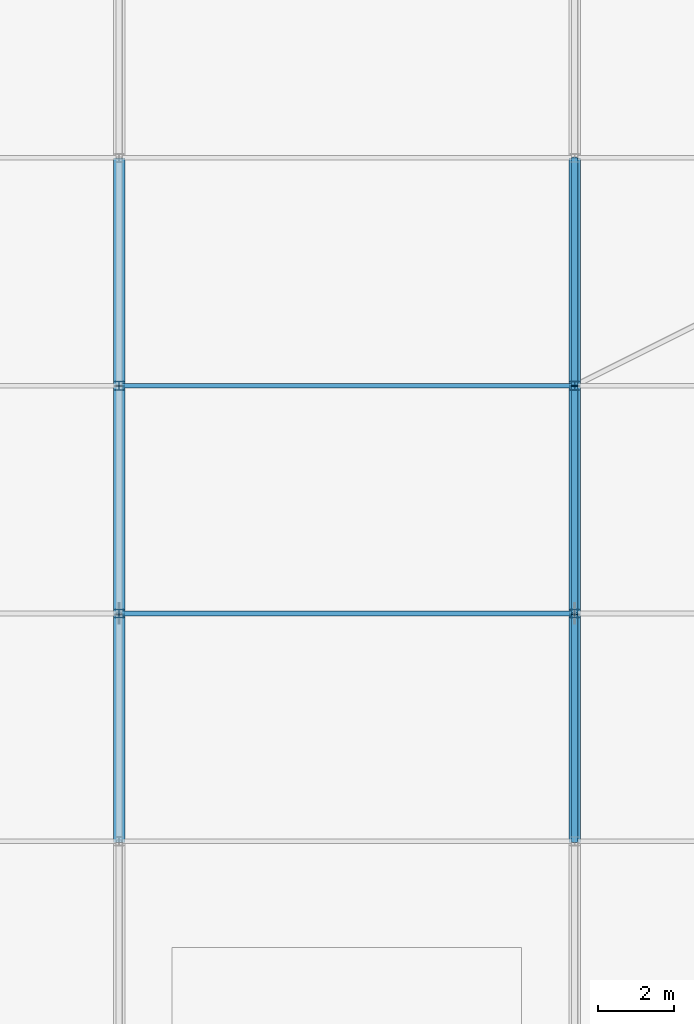
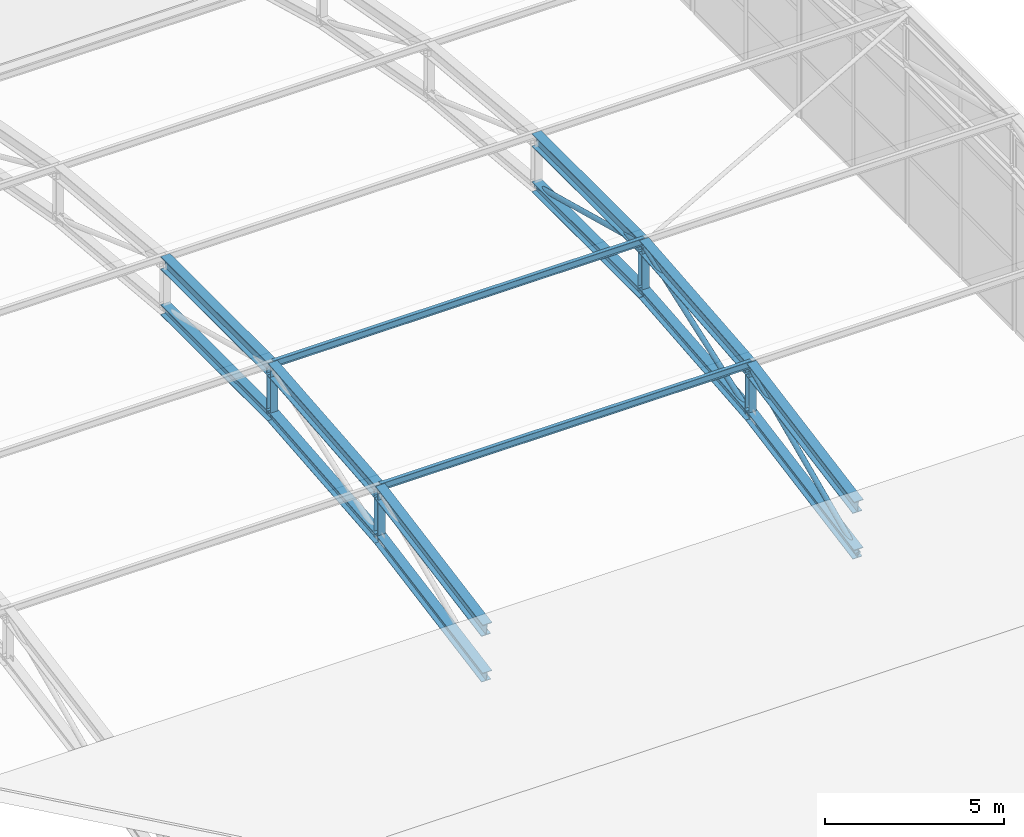
# One storey, part 108 of 204: 21 members.
"""IFC4 building model written with IfcOpenShell, lengths in metres."""

from ifc_helpers import new_model, si_unit, direction, frame, origin, origin_2d, place, context, subcontext, project, spatial, hollow_circle, i_section, extrude, material, material_profile, profile_set, type_object, element, save


model = new_model("IFC4")

# Units and contexts
model_context = context("Model", 3, precision=1e-05, world=origin(), true_north=direction((0.0, 1.0)))
body_context = subcontext(model_context, "Body", "Model", "MODEL_VIEW")
ifc_project = project(units=[si_unit("LENGTHUNIT", "METRE"), si_unit("AREAUNIT", "SQUARE_METRE"), si_unit("VOLUMEUNIT", "CUBIC_METRE"), si_unit("PLANEANGLEUNIT", "RADIAN"), si_unit("MASSUNIT", "GRAM", prefix="KILO")], contexts=[model_context])

# Site, building, storey
site_placement = place(None, origin())
site = spatial("IfcSite", under=ifc_project, at=site_placement, CompositionType="ELEMENT")
building_placement = place(site_placement, origin())
building = spatial("IfcBuilding", under=site, at=building_placement, Name="Zilviju Railside Exhibition Hall", CompositionType="ELEMENT")
storey_placement = place(building_placement, frame((0.0, 0.0, 21.0)))
storey = spatial("IfcBuildingStorey", under=building, at=storey_placement, Name="RF", CompositionType="ELEMENT", Elevation=21.0)

# Members
ifc_material = material(Name="Steel S355J2", Category="steel")
ifc_material_profile_1 = material_profile(ifc_material, hollow_circle(Radius=0.084228515625, WallThickness=0.008056640625, at=origin_2d()), Name="CHS 168.3x8.0")
ifc_profile_set_1 = profile_set([ifc_material_profile_1], Name="Steel S355J2")
member_type_1 = type_object("IfcMemberType", Name="TR-BR-CHS168", PredefinedType="BRACE", material=ifc_profile_set_1)
member_1_placement = place(storey_placement, frame((204.0, 12.0, -3.928466796875), z_axis=(0.0, 0.911563042822, 0.411160332425), x_axis=(-1.0, 0.0, 0.0)))
element("IfcMember", 1, at=member_1_placement, inside=storey, type_object=member_type_1, Name="V1 Parabolic Arch Web Diagonal X=204.0 P3", PredefinedType="BRACE", context=body_context, shape_type="SweptSolid", body=[
    extrude(hollow_circle(Radius=0.084228515625, WallThickness=0.008056640625, at=origin_2d()), origin(), (0.0, 0.0, 1.0), 6.58203125),
])
member_2_placement = place(storey_placement, frame((204.0, 18.0, -2.822265625), z_axis=(0.0, 0.94123307508, 0.337757751023), x_axis=(-1.0, 0.0, 0.0)))
element("IfcMember", 2, at=member_2_placement, inside=storey, type_object=member_type_1, Name="V1 Parabolic Arch Web Diagonal X=204.0 P4", PredefinedType="BRACE", context=body_context, shape_type="SweptSolid", body=[
    extrude(hollow_circle(Radius=0.084228515625, WallThickness=0.008056640625, at=origin_2d()), origin(), (0.0, 0.0, 1.0), 6.37451171875),
])
member_3_placement = place(storey_placement, frame((204.0, 24.0, -0.669189453125), z_axis=(0.0, 0.966240812345, -0.257640626762), x_axis=(-1.0, 0.0, 0.0)))
element("IfcMember", 3, at=member_3_placement, inside=storey, type_object=member_type_1, Name="V1 Parabolic Arch Web Diagonal X=204.0 P5", PredefinedType="BRACE", context=body_context, shape_type="SweptSolid", body=[
    extrude(hollow_circle(Radius=0.084228515625, WallThickness=0.008056640625, at=origin_2d()), origin(), (0.0, 0.0, 1.0), 6.209716796875),
])
ifc_material_profile_2 = material_profile(ifc_material, i_section(OverallWidth=0.300048828125, OverallDepth=0.360107421875, WebThickness=0.012451171875, FlangeThickness=0.0224609375, at=origin_2d()), Name="HEB 360")
ifc_profile_set_2 = profile_set([ifc_material_profile_2], Name="Steel S355J2")
member_type_2 = type_object("IfcMemberType", Name="TR-CH-HEB360", PredefinedType="CHORD", material=ifc_profile_set_2)
member_4_placement = place(storey_placement, frame((192.0, 12.0, -3.928466796875), z_axis=(0.0, 0.98342578549, 0.18131112606), x_axis=(-1.0, 0.0, 0.0)))
element("IfcMember", 4, at=member_4_placement, inside=storey, type_object=member_type_2, Name="V1 Parabolic Arch Bottom Chord X=192.0 P3", PredefinedType="CHORD", context=body_context, shape_type="SweptSolid", body=[
    extrude(i_section(OverallWidth=0.300048828125, OverallDepth=0.360107421875, WebThickness=0.012451171875, FlangeThickness=0.0224609375, at=origin_2d()), origin(), (0.0, 0.0, 1.0), 6.10107421875),
])
member_5_placement = place(storey_placement, frame((192.0, 18.0, -2.822265625), z_axis=(0.0, 0.995776144786, 0.091814320641), x_axis=(-1.0, 0.0, 0.0)))
element("IfcMember", 5, at=member_5_placement, inside=storey, type_object=member_type_2, Name="V1 Parabolic Arch Bottom Chord X=192.0 P4", PredefinedType="CHORD", context=body_context, shape_type="SweptSolid", body=[
    extrude(i_section(OverallWidth=0.300048828125, OverallDepth=0.360107421875, WebThickness=0.012451171875, FlangeThickness=0.0224609375, at=origin_2d()), origin(), (0.0, 0.0, 1.0), 6.025390625),
])
member_6_placement = place(storey_placement, frame((192.0, 24.0, -2.26904296875), z_axis=(0.0, 1.0, 0.0), x_axis=(-1.0, 0.0, 0.0)))
element("IfcMember", 6, at=member_6_placement, inside=storey, type_object=member_type_2, Name="V1 Parabolic Arch Bottom Chord X=192.0 P5", PredefinedType="CHORD", context=body_context, shape_type="SweptSolid", body=[
    extrude(i_section(OverallWidth=0.300048828125, OverallDepth=0.360107421875, WebThickness=0.012451171875, FlangeThickness=0.0224609375, at=origin_2d()), origin(), (0.0, 0.0, 1.0), 6.0),
])
member_7_placement = place(storey_placement, frame((204.0, 12.0, -3.928466796875), z_axis=(0.0, 0.98342578549, 0.18131112606), x_axis=(-1.0, 0.0, 0.0)))
element("IfcMember", 7, at=member_7_placement, inside=storey, type_object=member_type_2, Name="V1 Parabolic Arch Bottom Chord X=204.0 P3", PredefinedType="CHORD", context=body_context, shape_type="SweptSolid", body=[
    extrude(i_section(OverallWidth=0.300048828125, OverallDepth=0.360107421875, WebThickness=0.012451171875, FlangeThickness=0.0224609375, at=origin_2d()), origin(), (0.0, 0.0, 1.0), 6.10107421875),
])
member_8_placement = place(storey_placement, frame((204.0, 18.0, -2.822265625), z_axis=(0.0, 0.995776144786, 0.091814320641), x_axis=(-1.0, 0.0, 0.0)))
element("IfcMember", 8, at=member_8_placement, inside=storey, type_object=member_type_2, Name="V1 Parabolic Arch Bottom Chord X=204.0 P4", PredefinedType="CHORD", context=body_context, shape_type="SweptSolid", body=[
    extrude(i_section(OverallWidth=0.300048828125, OverallDepth=0.360107421875, WebThickness=0.012451171875, FlangeThickness=0.0224609375, at=origin_2d()), origin(), (0.0, 0.0, 1.0), 6.025390625),
])
member_9_placement = place(storey_placement, frame((204.0, 24.0, -2.26904296875), z_axis=(0.0, 1.0, 0.0), x_axis=(-1.0, 0.0, 0.0)))
element("IfcMember", 9, at=member_9_placement, inside=storey, type_object=member_type_2, Name="V1 Parabolic Arch Bottom Chord X=204.0 P5", PredefinedType="CHORD", context=body_context, shape_type="SweptSolid", body=[
    extrude(i_section(OverallWidth=0.300048828125, OverallDepth=0.360107421875, WebThickness=0.012451171875, FlangeThickness=0.0224609375, at=origin_2d()), origin(), (0.0, 0.0, 1.0), 6.0),
])
ifc_material_profile_3 = material_profile(ifc_material, i_section(OverallWidth=0.300048828125, OverallDepth=0.449951171875, WebThickness=0.013916015625, FlangeThickness=0.02587890625, at=origin_2d()), Name="HEB 450")
ifc_profile_set_3 = profile_set([ifc_material_profile_3], Name="Steel S355J2")
member_type_3 = type_object("IfcMemberType", Name="TR-CH-HEB450", PredefinedType="CHORD", material=ifc_profile_set_3)
member_10_placement = place(storey_placement, frame((192.0, 12.0, -2.328369140625), z_axis=(0.0, 0.98342578549, 0.18131112606), x_axis=(-1.0, 0.0, 0.0)))
element("IfcMember", 10, at=member_10_placement, inside=storey, type_object=member_type_3, Name="V1 Parabolic Arch Top Chord X=192.0 P3", PredefinedType="CHORD", context=body_context, shape_type="SweptSolid", body=[
    extrude(i_section(OverallWidth=0.300048828125, OverallDepth=0.449951171875, WebThickness=0.013916015625, FlangeThickness=0.02587890625, at=origin_2d()), origin(), (0.0, 0.0, 1.0), 6.10107421875),
])
member_11_placement = place(storey_placement, frame((192.0, 18.0, -1.22216796875), z_axis=(0.0, 0.99577984843, 0.091774143746), x_axis=(-1.0, 0.0, 0.0)))
element("IfcMember", 11, at=member_11_placement, inside=storey, type_object=member_type_3, Name="V1 Parabolic Arch Top Chord X=192.0 P4", PredefinedType="CHORD", context=body_context, shape_type="SweptSolid", body=[
    extrude(i_section(OverallWidth=0.300048828125, OverallDepth=0.449951171875, WebThickness=0.013916015625, FlangeThickness=0.02587890625, at=origin_2d()), origin(), (0.0, 0.0, 1.0), 6.025390625),
])
member_12_placement = place(storey_placement, frame((192.0, 24.0, -0.669189453125), z_axis=(0.0, 1.0, 0.0), x_axis=(-1.0, 0.0, 0.0)))
element("IfcMember", 12, at=member_12_placement, inside=storey, type_object=member_type_3, Name="V1 Parabolic Arch Top Chord X=192.0 P5", PredefinedType="CHORD", context=body_context, shape_type="SweptSolid", body=[
    extrude(i_section(OverallWidth=0.300048828125, OverallDepth=0.449951171875, WebThickness=0.013916015625, FlangeThickness=0.02587890625, at=origin_2d()), origin(), (0.0, 0.0, 1.0), 6.0),
])
member_13_placement = place(storey_placement, frame((204.0, 12.0, -2.328369140625), z_axis=(0.0, 0.98342578549, 0.18131112606), x_axis=(-1.0, 0.0, 0.0)))
element("IfcMember", 13, at=member_13_placement, inside=storey, type_object=member_type_3, Name="V1 Parabolic Arch Top Chord X=204.0 P3", PredefinedType="CHORD", context=body_context, shape_type="SweptSolid", body=[
    extrude(i_section(OverallWidth=0.300048828125, OverallDepth=0.449951171875, WebThickness=0.013916015625, FlangeThickness=0.02587890625, at=origin_2d()), origin(), (0.0, 0.0, 1.0), 6.10107421875),
])
member_14_placement = place(storey_placement, frame((204.0, 18.0, -1.22216796875), z_axis=(0.0, 0.99577984843, 0.091774143746), x_axis=(-1.0, 0.0, 0.0)))
element("IfcMember", 14, at=member_14_placement, inside=storey, type_object=member_type_3, Name="V1 Parabolic Arch Top Chord X=204.0 P4", PredefinedType="CHORD", context=body_context, shape_type="SweptSolid", body=[
    extrude(i_section(OverallWidth=0.300048828125, OverallDepth=0.449951171875, WebThickness=0.013916015625, FlangeThickness=0.02587890625, at=origin_2d()), origin(), (0.0, 0.0, 1.0), 6.025390625),
])
member_15_placement = place(storey_placement, frame((204.0, 24.0, -0.669189453125), z_axis=(0.0, 1.0, 0.0), x_axis=(-1.0, 0.0, 0.0)))
element("IfcMember", 15, at=member_15_placement, inside=storey, type_object=member_type_3, Name="V1 Parabolic Arch Top Chord X=204.0 P5", PredefinedType="CHORD", context=body_context, shape_type="SweptSolid", body=[
    extrude(i_section(OverallWidth=0.300048828125, OverallDepth=0.449951171875, WebThickness=0.013916015625, FlangeThickness=0.02587890625, at=origin_2d()), origin(), (0.0, 0.0, 1.0), 6.0),
])
ifc_material_profile_4 = material_profile(ifc_material, i_section(OverallWidth=0.239990234375, OverallDepth=0.22998046875, WebThickness=0.007568359375, FlangeThickness=0.011962890625, at=origin_2d()), Name="HEA 240")
ifc_profile_set_4 = profile_set([ifc_material_profile_4], Name="Steel S355J2")
member_type_4 = type_object("IfcMemberType", Name="TR-POST-HEA240", PredefinedType="POST", material=ifc_profile_set_4)
member_16_placement = place(storey_placement, frame((192.0, 18.0, -2.822265625), z_axis=(0.0, 0.0, 1.0), x_axis=(1.0, 0.0, 0.0)))
element("IfcMember", 16, at=member_16_placement, inside=storey, type_object=member_type_4, Name="V1 Parabolic Arch Web Post X=192.0 N3", PredefinedType="POST", context=body_context, shape_type="SweptSolid", body=[
    extrude(i_section(OverallWidth=0.239990234375, OverallDepth=0.22998046875, WebThickness=0.007568359375, FlangeThickness=0.011962890625, at=origin_2d()), origin(), (0.0, 0.0, 1.0), 1.60009765625),
])
member_17_placement = place(storey_placement, frame((192.0, 24.0, -2.26904296875), z_axis=(0.0, 0.0, 1.0), x_axis=(1.0, 0.0, 0.0)))
element("IfcMember", 17, at=member_17_placement, inside=storey, type_object=member_type_4, Name="V1 Parabolic Arch Web Post X=192.0 N4", PredefinedType="POST", context=body_context, shape_type="SweptSolid", body=[
    extrude(i_section(OverallWidth=0.239990234375, OverallDepth=0.22998046875, WebThickness=0.007568359375, FlangeThickness=0.011962890625, at=origin_2d()), origin(), (0.0, 0.0, 1.0), 1.599853515625),
])
member_18_placement = place(storey_placement, frame((204.0, 18.0, -2.822265625), z_axis=(0.0, 0.0, 1.0), x_axis=(1.0, 0.0, 0.0)))
element("IfcMember", 18, at=member_18_placement, inside=storey, type_object=member_type_4, Name="V1 Parabolic Arch Web Post X=204.0 N3", PredefinedType="POST", context=body_context, shape_type="SweptSolid", body=[
    extrude(i_section(OverallWidth=0.239990234375, OverallDepth=0.22998046875, WebThickness=0.007568359375, FlangeThickness=0.011962890625, at=origin_2d()), origin(), (0.0, 0.0, 1.0), 1.60009765625),
])
member_19_placement = place(storey_placement, frame((204.0, 24.0, -2.26904296875), z_axis=(0.0, 0.0, 1.0), x_axis=(1.0, 0.0, 0.0)))
element("IfcMember", 19, at=member_19_placement, inside=storey, type_object=member_type_4, Name="V1 Parabolic Arch Web Post X=204.0 N4", PredefinedType="POST", context=body_context, shape_type="SweptSolid", body=[
    extrude(i_section(OverallWidth=0.239990234375, OverallDepth=0.22998046875, WebThickness=0.007568359375, FlangeThickness=0.011962890625, at=origin_2d()), origin(), (0.0, 0.0, 1.0), 1.599853515625),
])
ifc_material_profile_5 = material_profile(ifc_material, i_section(OverallWidth=0.1201171875, OverallDepth=0.239990234375, WebThickness=0.006103515625, FlangeThickness=0.009765625, at=origin_2d()), Name="IPE 240")
ifc_profile_set_5 = profile_set([ifc_material_profile_5], Name="Steel S355J2")
member_type_5 = type_object("IfcMemberType", Name="TR-PUR-IPE240", PredefinedType="PURLIN", material=ifc_profile_set_5)
for number, where, z_axis, x_axis, name in (
    (20, (192.0, 18.0, -1.0771484375), (1.0, 0.0, 0.0), (0.0, 1.0, 0.0), "V1 Barrel Vault Roof Purlin Y=18.0 (192.0..204.0)"),
    (21, (192.0, 24.0, -0.515625), (1.0, 0.0, 0.0), (0.0, 1.0, 0.0), "V1 Barrel Vault Roof Purlin Y=24.0 (192.0..204.0)"),
):
    element("IfcMember", number, at=place(storey_placement, frame(where, z_axis=z_axis, x_axis=x_axis)), inside=storey, type_object=member_type_5, Name=name, PredefinedType="PURLIN", context=body_context, shape_type="SweptSolid", body=[
        extrude(i_section(OverallWidth=0.1201171875, OverallDepth=0.239990234375, WebThickness=0.006103515625, FlangeThickness=0.009765625, at=origin_2d()), origin(), (0.0, 0.0, 1.0), 12.0),
    ])

save(model, "model.ifc")
